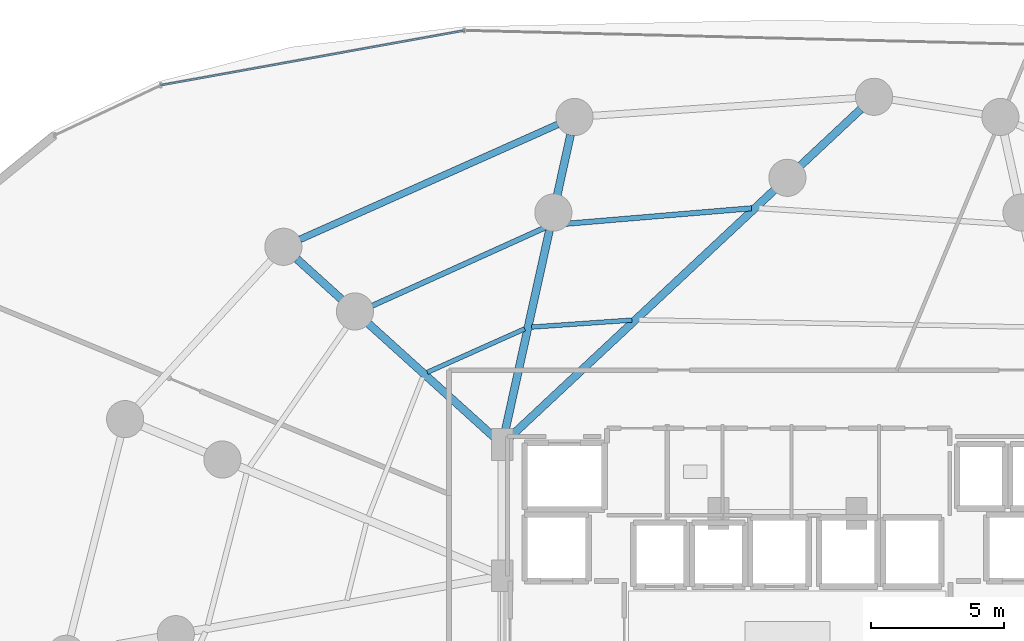
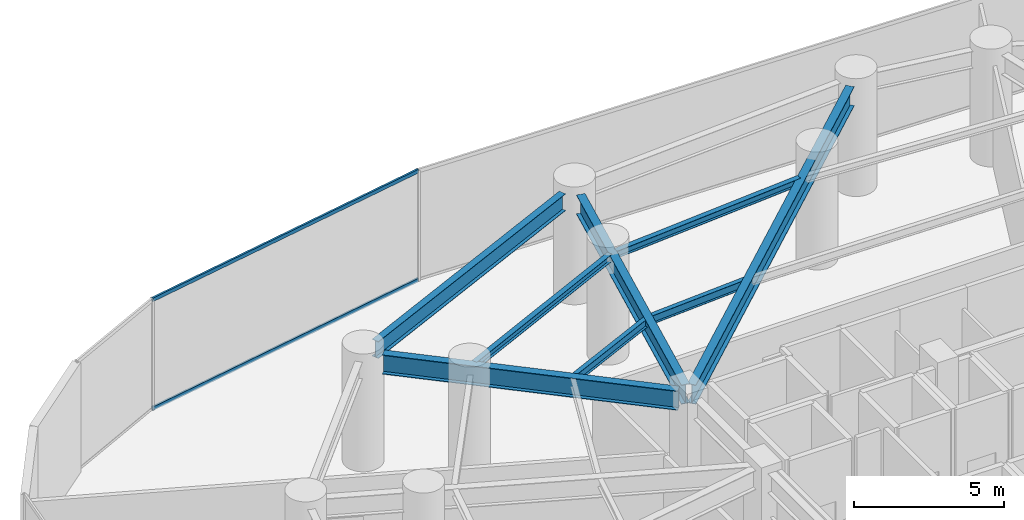
# One storey, part 14 of 26: 8 beams, 2 members, 1 element without a shape of its own.
"""IFC4 building model written with IfcOpenShell, lengths in metres."""

import ifcopenshell
import ifcopenshell.guid

model = None  # the IFC model being written
_history = None  # IfcOwnerHistory: only IFC2X3 demands one
_inside = {}  # id of a spatial element -> (the spatial element, [elements in it])
_under = {}  # id of a project, library or spatial element -> (it, [spatial elements below it])
_declared = {}  # id of a project -> (the project, [libraries it declares])
_typed = {}  # id of a type object -> (the type object, [elements of that type])
_made_of = {}  # id of a material, layer set ... -> (it, [elements and type objects made of it])


def new_model(schema):
    """Start an empty IFC model of exactly this schema.

    Asked for "IFC4X3", IfcOpenShell would pick the latest addendum, in which some entities
    have other attributes; the version numbers below select the first issue.
    IFC2X3 requires an IfcOwnerHistory on every rooted entity: one is made here for all.
    """
    global model, _history
    if schema == "IFC4X3":
        model = ifcopenshell.file(schema_version=(4, 3, 0, 0))
    else:
        model = ifcopenshell.file(schema=schema)
    _inside.clear()
    _under.clear()
    _declared.clear()
    _typed.clear()
    _made_of.clear()
    _history = None
    if model.schema == "IFC2X3":
        org = make("IfcOrganization", Name="unknown")
        user = make(
            "IfcPersonAndOrganization",
            ThePerson=make("IfcPerson", FamilyName="unknown"),
            TheOrganization=org,
        )
        app = make(
            "IfcApplication",
            ApplicationDeveloper=org,
            Version="unknown",
            ApplicationFullName="unknown",
            ApplicationIdentifier="unknown",
        )
        _history = make(
            "IfcOwnerHistory",
            OwningUser=user,
            OwningApplication=app,
            ChangeAction="ADDED",
            CreationDate=0,
        )
    return model


def make(cls, **values):
    """One entity of the class cls with the attributes given. An attribute that is None is left unset."""
    return model.create_entity(
        cls, **{name: value for name, value in values.items() if value is not None}
    )


def rooted(cls, **values):
    """An entity with a GlobalId (a new one), such as an element, a storey or a relation."""
    return make(cls, GlobalId=ifcopenshell.guid.new(), OwnerHistory=_history, **values)


def si_unit(unit_type, name, prefix=None):
    """IfcSIUnit, for example si_unit("LENGTHUNIT", "METRE", prefix="MILLI")."""
    return make("IfcSIUnit", UnitType=unit_type, Prefix=prefix, Name=name)


def assignment(units):
    """IfcUnitAssignment: the units of a project."""
    return None if units is None else make("IfcUnitAssignment", Units=units)


def point(xyz):
    """IfcCartesianPoint."""
    return None if xyz is None else make("IfcCartesianPoint", Coordinates=xyz)


def direction(xyz):
    """IfcDirection."""
    return None if xyz is None else make("IfcDirection", DirectionRatios=xyz)


def frame(location, z_axis=None, x_axis=None):
    """IfcAxis2Placement3D, a coordinate frame: its origin and axes. An axis left out is left unset."""
    return make(
        "IfcAxis2Placement3D",
        Location=point(location),
        Axis=direction(z_axis),
        RefDirection=direction(x_axis),
    )


def frame_2d(location, x_axis=None):
    """IfcAxis2Placement2D, a coordinate frame in the plane: its origin and x axis."""
    return make(
        "IfcAxis2Placement2D", Location=point(location), RefDirection=direction(x_axis)
    )


def origin():
    """The frame at (0, 0, 0) with its axes left unset."""
    return frame((0.0, 0.0, 0.0))


def origin_2d():
    """The frame at (0, 0) in the plane with its x axis left unset."""
    return frame_2d((0.0, 0.0))


def place(relative_to, where):
    """IfcLocalPlacement: puts the frame where relative to a parent placement (None: the world)."""
    return make(
        "IfcLocalPlacement", PlacementRelTo=relative_to, RelativePlacement=where
    )


def context(
    kind, dimensions, precision=None, world=None, true_north=None, identifier=None
):
    """IfcGeometricRepresentationContext, for example the 3D "Model" context."""
    return make(
        "IfcGeometricRepresentationContext",
        ContextIdentifier=identifier,
        ContextType=kind,
        CoordinateSpaceDimension=dimensions,
        Precision=precision,
        WorldCoordinateSystem=world,
        TrueNorth=true_north,
    )


def subcontext(parent, identifier, kind, view, scale=None):
    """IfcGeometricRepresentationSubContext, for example "Body" below "Model"."""
    return make(
        "IfcGeometricRepresentationSubContext",
        ContextIdentifier=identifier,
        ContextType=kind,
        ParentContext=parent,
        TargetScale=scale,
        TargetView=view,
    )


def project(units=None, contexts=None):
    """IfcProject with its units and contexts."""
    return rooted(
        "IfcProject",
        Name="project",
        RepresentationContexts=contexts,
        UnitsInContext=assignment(units),
    )


def spatial(cls, under=None, at=None, **own):
    """A site, building, storey or space (cls), placed at a placement, below another one or the project."""
    s = rooted(cls, ObjectPlacement=at, **own)
    if under is not None:
        _under.setdefault(under.id(), (under, []))[1].append(s)
    return s


def profile(cls, at=None, kind="AREA", **sizes):
    """A parametric profile (cls). Its sizes go by their IFC names, for example OverallWidth=200.0."""
    return make(cls, ProfileType=kind, Position=at, **sizes)


def hollow_rectangle(**sizes):
    """IfcRectangleHollowProfileDef."""
    return profile("IfcRectangleHollowProfileDef", **sizes)


def i_section(**sizes):
    """IfcIShapeProfileDef."""
    return profile("IfcIShapeProfileDef", **sizes)


def extrude(swept, where, along, depth):
    """IfcExtrudedAreaSolid: the profile swept, set in the frame where, extruded along a direction by depth."""
    return make(
        "IfcExtrudedAreaSolid",
        SweptArea=swept,
        Position=where,
        ExtrudedDirection=direction(along),
        Depth=depth,
    )


def shape(context_of_items, identifier, shape_type, items):
    """IfcShapeRepresentation: the items that make up one representation, for example the "Body"."""
    return make(
        "IfcShapeRepresentation",
        ContextOfItems=context_of_items,
        RepresentationIdentifier=identifier,
        RepresentationType=shape_type,
        Items=items,
    )


def material(Name=None, Category=None):
    """IfcMaterial."""
    return make("IfcMaterial", Name=Name, Category=Category)


def material_profile(
    of_material, cross_section, Name=None, Category=None, Priority=None
):
    """IfcMaterialProfile: a cross section and its material."""
    return make(
        "IfcMaterialProfile",
        Name=Name,
        Material=of_material,
        Profile=cross_section,
        Priority=Priority,
        Category=Category,
    )


def profile_set(profiles, Name=None, composite=None):
    """IfcMaterialProfileSet."""
    return make(
        "IfcMaterialProfileSet",
        Name=Name,
        MaterialProfiles=profiles,
        CompositeProfile=composite,
    )


def made_of(thing, what):
    """Note that an element or type object is made of a material, layer set ...; save() writes the relation."""
    if what is not None:
        _made_of.setdefault(what.id(), (what, []))[1].append(thing)
    return thing


def type_object(cls, material=None, **own):
    """A type object (cls), such as IfcWallType, which elements share."""
    return made_of(rooted(cls, **own), material)


def element(
    cls,
    number,
    at=None,
    inside=None,
    cuts=None,
    type_object=None,
    material=None,
    context=None,
    identifier="Body",
    shape_type=None,
    held_by="IfcProductDefinitionShape",
    body=None,
    shapes=None,
    **own,
):
    """One element of the class cls, such as IfcWall. Its Tag is "e" and its number.

    at: its placement. inside: the storey or other place that contains it. cuts: it is an
    opening in that element (IfcRelVoidsElement). A single representation is given by context,
    identifier, shape_type and body (its items); several are given by shapes. held_by: the class
    of the entity that holds the representations. save() writes the other relations.
    """
    e = rooted(cls, Tag="e%d" % number, ObjectPlacement=at, **own)
    if body is not None:
        shapes = [shape(context, identifier, shape_type, body)]
    if shapes is not None:
        e.Representation = make(held_by, Representations=shapes)
    if inside is not None:
        _inside.setdefault(inside.id(), (inside, []))[1].append(e)
    if cuts is not None:
        rooted(
            "IfcRelVoidsElement", RelatingBuildingElement=cuts, RelatedOpeningElement=e
        )
    if type_object is not None:
        _typed.setdefault(type_object.id(), (type_object, []))[1].append(e)
    return made_of(e, material)


def aggregate(whole, parts):
    """IfcRelAggregates: a whole, such as a stair, and the parts it consists of."""
    return rooted("IfcRelAggregates", RelatingObject=whole, RelatedObjects=parts)


def save(model, path):
    """Write the relations noted so far, then the file.

    IfcRelAggregates (storeys below a building ...), IfcRelContainedInSpatialStructure (elements
    in a storey), IfcRelDefinesByType, IfcRelAssociatesMaterial and IfcRelDeclares: one each for
    every whole, place, type object, material and project.
    """
    for whole, parts in _under.values():
        aggregate(whole, parts)
    for where, things in _inside.values():
        rooted(
            "IfcRelContainedInSpatialStructure",
            RelatedElements=things,
            RelatingStructure=where,
        )
    for kind, things in _typed.values():
        rooted("IfcRelDefinesByType", RelatedObjects=things, RelatingType=kind)
    for what, things in _made_of.values():
        rooted("IfcRelAssociatesMaterial", RelatedObjects=things, RelatingMaterial=what)
    for by, libraries in _declared.values():
        rooted("IfcRelDeclares", RelatingContext=by, RelatedDefinitions=libraries)
    model.write(path)


model = new_model("IFC4")

# Units and contexts
model_context = context("Model", 3, precision=1e-05, world=origin(), true_north=direction((0.0, 1.0)))
body_context = subcontext(model_context, "Body", "Model", "MODEL_VIEW")
ifc_project = project(units=[si_unit("LENGTHUNIT", "METRE"), si_unit("AREAUNIT", "SQUARE_METRE"), si_unit("VOLUMEUNIT", "CUBIC_METRE"), si_unit("PLANEANGLEUNIT", "RADIAN"), si_unit("MASSUNIT", "GRAM", prefix="KILO")], contexts=[model_context])

# Site, building, storey
site_placement = place(None, origin())
site = spatial("IfcSite", under=ifc_project, at=site_placement, CompositionType="ELEMENT")
building_placement = place(site_placement, origin())
building = spatial("IfcBuilding", under=site, at=building_placement, Name="Vorneva Point Tower", CompositionType="ELEMENT")
storey_placement = place(building_placement, frame((0.0, 0.0, 14.39990234375)))
storey = spatial("IfcBuildingStorey", under=building, at=storey_placement, Name="L03", CompositionType="ELEMENT", Elevation=14.39990234375)

# Beams
ifc_material_1 = material(Name="Steel S355", Category="steel")
ifc_material_profile_1 = material_profile(ifc_material_1, i_section(OverallWidth=0.300048828125, OverallDepth=0.7880859375, WebThickness=0.014404296875, FlangeThickness=0.02197265625, at=origin_2d()), Name="80Sh1")
ifc_profile_set_1 = profile_set([ifc_material_profile_1], Name="Steel S355")
beam_type_1 = type_object("IfcBeamType", Name="BM-GRD-80Sh1", PredefinedType="USERDEFINED", material=ifc_profile_set_1)
beam_1_placement = place(storey_placement, frame((40.762451171875, 45.78271484375, 4.086181640625), z_axis=(-0.730484943743, -0.682928800802, 0.0), x_axis=(0.682928800802, -0.730484943743, 0.0)))
element("IfcBeam", 1, at=beam_1_placement, inside=storey, type_object=beam_type_1, Name="L03 Radial Primary Girder 05", ObjectType="GIRDER", PredefinedType="USERDEFINED", context=body_context, shape_type="SweptSolid", body=[
    extrude(i_section(OverallWidth=0.300048828125, OverallDepth=0.7880859375, WebThickness=0.014404296875, FlangeThickness=0.02197265625, at=origin_2d()), origin(), (0.0, 0.0, 1.0), 18.157958984375),
])
beam_2_placement = place(storey_placement, frame((29.825439453125, 44.81982421875, 4.086181640625), z_axis=(-0.215507553279, -0.97650217331, 0.0), x_axis=(0.97650217331, -0.215507553279, 0.0)))
element("IfcBeam", 2, at=beam_2_placement, inside=storey, type_object=beam_type_1, Name="L03 Radial Primary Girder 06", ObjectType="GIRDER", PredefinedType="USERDEFINED", context=body_context, shape_type="SweptSolid", body=[
    extrude(i_section(OverallWidth=0.300048828125, OverallDepth=0.7880859375, WebThickness=0.014404296875, FlangeThickness=0.02197265625, at=origin_2d()), origin(), (0.0, 0.0, 1.0), 11.610595703125),
])
beam_3_placement = place(storey_placement, frame((19.51318359375, 40.138671875, 4.086181640625), z_axis=(0.742080891711, -0.670310338692, 0.0), x_axis=(0.670310338692, 0.742080891711, 0.0)))
element("IfcBeam", 3, at=beam_3_placement, inside=storey, type_object=beam_type_1, Name="L03 Radial Primary Girder 07", ObjectType="GIRDER", PredefinedType="USERDEFINED", context=body_context, shape_type="SweptSolid", body=[
    extrude(i_section(OverallWidth=0.300048828125, OverallDepth=0.7880859375, WebThickness=0.014404296875, FlangeThickness=0.02197265625, at=origin_2d()), origin(), (0.0, 0.0, 1.0), 10.0859375),
])
ifc_material_profile_2 = material_profile(ifc_material_1, i_section(OverallWidth=0.199951171875, OverallDepth=0.291015625, WebThickness=0.008056640625, FlangeThickness=0.010986328125, at=origin_2d()), Name="30Sh1")
ifc_profile_set_2 = profile_set([ifc_material_profile_2], Name="Steel S355")
beam_type_2 = type_object("IfcBeamType", Name="BM-SEC-30Sh1", PredefinedType="BEAM", material=ifc_profile_set_2)
beam_4_placement = place(storey_placement, frame((36.645751953125, 42.051025390625, 4.334716796875), z_axis=(-0.99652745049, -0.083264881074, 0.0), x_axis=(0.083264881074, -0.99652745049, 0.0)))
element("IfcBeam", 4, at=beam_4_placement, inside=storey, type_object=beam_type_2, Name="L03 Secondary Floor Beam 1.05", PredefinedType="BEAM", context=body_context, shape_type="SweptSolid", body=[
    extrude(i_section(OverallWidth=0.199951171875, OverallDepth=0.291015625, WebThickness=0.008056640625, FlangeThickness=0.010986328125, at=origin_2d()), origin(), (0.0, 0.0, 1.0), 7.459228515625),
])
beam_5_placement = place(storey_placement, frame((28.94921875, 41.361572265625, 4.334716796875), z_axis=(-0.911190676333, -0.411984892154, 0.0), x_axis=(0.411984892154, -0.911190676333, 0.0)))
element("IfcBeam", 5, at=beam_5_placement, inside=storey, type_object=beam_type_2, Name="L03 Secondary Floor Beam 1.06", PredefinedType="BEAM", context=body_context, shape_type="SweptSolid", body=[
    extrude(i_section(OverallWidth=0.199951171875, OverallDepth=0.291015625, WebThickness=0.008056640625, FlangeThickness=0.010986328125, at=origin_2d()), origin(), (0.0, 0.0, 1.0), 7.75341796875),
])
ifc_material_profile_3 = material_profile(ifc_material_1, i_section(OverallWidth=0.174072265625, OverallDepth=0.345947265625, WebThickness=0.006103515625, FlangeThickness=0.009033203125, at=origin_2d()), Name="35B1")
ifc_profile_set_3 = profile_set([ifc_material_profile_3], Name="Steel S355")
beam_type_3 = type_object("IfcBeamType", Name="BM-SEC-35B1", PredefinedType="BEAM", material=ifc_profile_set_3)
beam_6_placement = place(storey_placement, frame((32.1357421875, 37.836669921875, 4.30712890625), z_axis=(-0.99757270365, -0.069632614002, 0.0), x_axis=(0.069632614002, -0.99757270365, 0.0)))
element("IfcBeam", 6, at=beam_6_placement, inside=storey, type_object=beam_type_3, Name="L03 Secondary Floor Beam 2.05", PredefinedType="BEAM", context=body_context, shape_type="SweptSolid", body=[
    extrude(i_section(OverallWidth=0.174072265625, OverallDepth=0.345947265625, WebThickness=0.006103515625, FlangeThickness=0.009033203125, at=origin_2d()), origin(), (0.0, 0.0, 1.0), 3.783203125),
])
beam_7_placement = place(storey_placement, frame((28.09814453125, 37.50732421875, 4.30712890625), z_axis=(-0.913000525932, -0.4079583798, 0.0), x_axis=(0.4079583798, -0.913000525932, 0.0)))
element("IfcBeam", 7, at=beam_7_placement, inside=storey, type_object=beam_type_3, Name="L03 Secondary Floor Beam 2.06", PredefinedType="BEAM", context=body_context, shape_type="SweptSolid", body=[
    extrude(i_section(OverallWidth=0.174072265625, OverallDepth=0.345947265625, WebThickness=0.006103515625, FlangeThickness=0.009033203125, at=origin_2d()), origin(), (0.0, 0.0, 1.0), 4.0185546875),
])
ifc_material_profile_4 = material_profile(ifc_material_1, i_section(OverallWidth=0.260009765625, OverallDepth=0.69091796875, WebThickness=0.011962890625, FlangeThickness=0.015380859375, at=origin_2d()), Name="70B1")
ifc_profile_set_4 = profile_set([ifc_material_profile_4], Name="Steel S355")
beam_type_4 = type_object("IfcBeamType", Name="BM-SPN-70B1", PredefinedType="SPANDREL", material=ifc_profile_set_4)
beam_8_placement = place(storey_placement, frame((29.34814453125, 45.212646484375, 4.134521484375), z_axis=(-0.913331288807, -0.407217333725, 0.0), x_axis=(0.407217333725, -0.913331288807, 0.0)))
element("IfcBeam", 8, at=beam_8_placement, inside=storey, type_object=beam_type_4, Name="L03 Perimeter Spandrel Ring Beam 06", PredefinedType="SPANDREL", context=body_context, shape_type="SweptSolid", body=[
    extrude(i_section(OverallWidth=0.260009765625, OverallDepth=0.69091796875, WebThickness=0.011962890625, FlangeThickness=0.015380859375, at=origin_2d()), origin(), (0.0, 0.0, 1.0), 10.642333984375),
])

# Curtain wall, members
ifc_material_2 = material(Name="Pale anodised aluminium", Category="aluminium")
curtain_wall_type = type_object("IfcCurtainWallType", Name="CW-POD-SYS", PredefinedType="NOTDEFINED", material=ifc_material_2)
curtain_wall_placement = place(storey_placement, origin())
curtain_wall = element("IfcCurtainWall", 9, at=curtain_wall_placement, inside=storey, type_object=curtain_wall_type, Name="L03 Unitised Curtain Wall CW-L03-R02", PredefinedType="NOTDEFINED")
ifc_material_profile_5 = material_profile(ifc_material_2, hollow_rectangle(XDim=0.074951171875, YDim=0.14990234375, WallThickness=0.00390625, at=origin_2d()), Name="AL-TRN 150x75x4")
ifc_profile_set_5 = profile_set([ifc_material_profile_5], Name="Pale anodised aluminium")
member_type = type_object("IfcMemberType", Name="CW-TRN-150", PredefinedType="USERDEFINED", material=ifc_profile_set_5)
member_1_placement = place(storey_placement, frame((25.820556640625, 48.748779296875, 0.02001953125), z_axis=(-0.984138982307, -0.177399164327, 0.0), x_axis=(0.177399164327, -0.984138982307, 0.0)))
member_1 = element("IfcMember", 10, at=member_1_placement, type_object=member_type, Name="CW-L03-R02 Transom 02.1", ObjectType="TRANSOM", PredefinedType="USERDEFINED", context=body_context, shape_type="SweptSolid", body=[
    extrude(hollow_rectangle(XDim=0.074951171875, YDim=0.14990234375, WallThickness=0.00390625, at=origin_2d()), origin(), (0.0, 0.0, 1.0), 11.62353515625),
])
member_2_placement = place(storey_placement, frame((25.820556640625, 48.748779296875, 4.460205078125), z_axis=(-0.984138982307, -0.177399164327, 0.0), x_axis=(0.177399164327, -0.984138982307, 0.0)))
member_2 = element("IfcMember", 11, at=member_2_placement, type_object=member_type, Name="CW-L03-R02 Transom 02.2", ObjectType="TRANSOM", PredefinedType="USERDEFINED", context=body_context, shape_type="SweptSolid", body=[
    extrude(hollow_rectangle(XDim=0.074951171875, YDim=0.14990234375, WallThickness=0.00390625, at=origin_2d()), origin(), (0.0, 0.0, 1.0), 11.62353515625),
])
aggregate(curtain_wall, [member_1, member_2])

save(model, "model.ifc")
